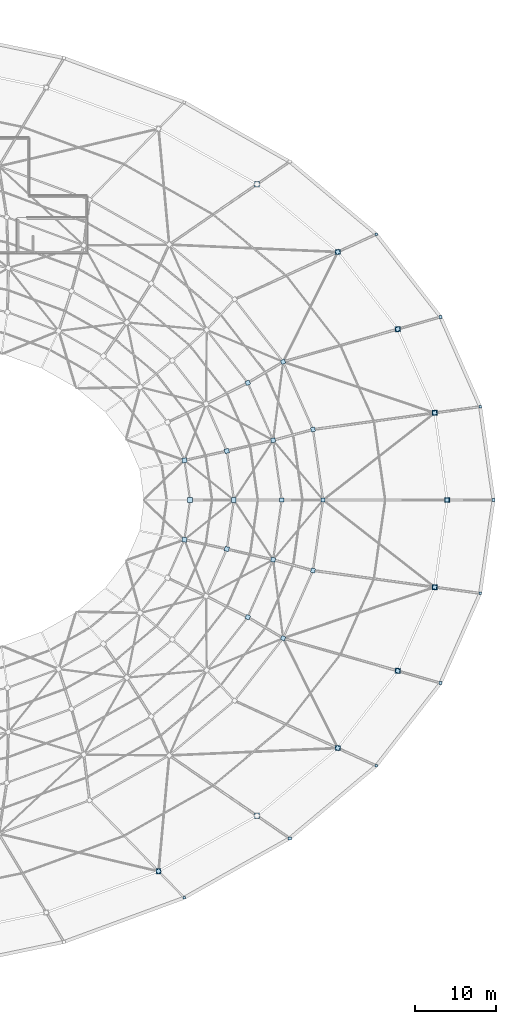
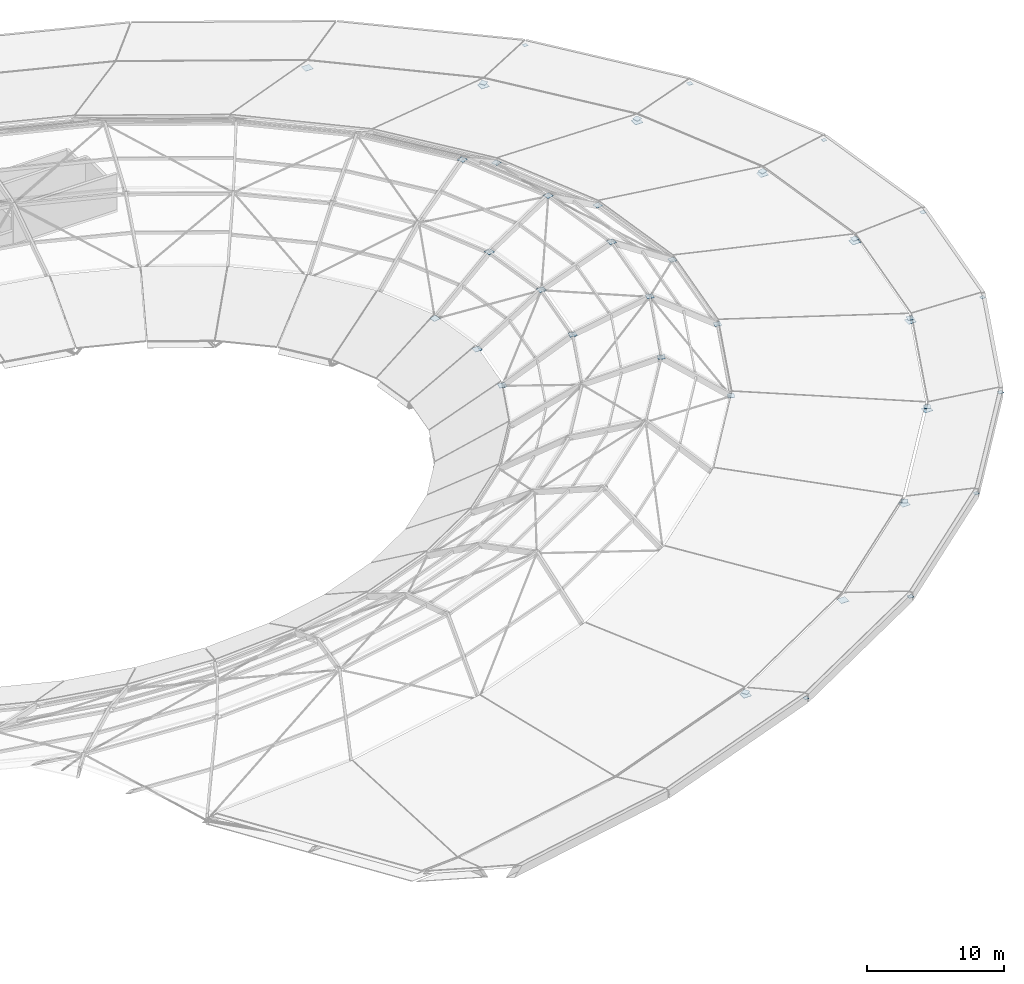
# One storey, part 22 of 30: 43 plates.
"""IFC4 building model written with IfcOpenShell, lengths in metres."""

import ifcopenshell
import ifcopenshell.guid

model = None  # the IFC model being written
_history = None  # IfcOwnerHistory: only IFC2X3 demands one
_inside = {}  # id of a spatial element -> (the spatial element, [elements in it])
_under = {}  # id of a project, library or spatial element -> (it, [spatial elements below it])
_declared = {}  # id of a project -> (the project, [libraries it declares])
_typed = {}  # id of a type object -> (the type object, [elements of that type])
_made_of = {}  # id of a material, layer set ... -> (it, [elements and type objects made of it])


def new_model(schema):
    """Start an empty IFC model of exactly this schema.

    Asked for "IFC4X3", IfcOpenShell would pick the latest addendum, in which some entities
    have other attributes; the version numbers below select the first issue.
    IFC2X3 requires an IfcOwnerHistory on every rooted entity: one is made here for all.
    """
    global model, _history
    if schema == "IFC4X3":
        model = ifcopenshell.file(schema_version=(4, 3, 0, 0))
    else:
        model = ifcopenshell.file(schema=schema)
    _inside.clear()
    _under.clear()
    _declared.clear()
    _typed.clear()
    _made_of.clear()
    _history = None
    if model.schema == "IFC2X3":
        org = make("IfcOrganization", Name="unknown")
        user = make(
            "IfcPersonAndOrganization",
            ThePerson=make("IfcPerson", FamilyName="unknown"),
            TheOrganization=org,
        )
        app = make(
            "IfcApplication",
            ApplicationDeveloper=org,
            Version="unknown",
            ApplicationFullName="unknown",
            ApplicationIdentifier="unknown",
        )
        _history = make(
            "IfcOwnerHistory",
            OwningUser=user,
            OwningApplication=app,
            ChangeAction="ADDED",
            CreationDate=0,
        )
    return model


def make(cls, **values):
    """One entity of the class cls with the attributes given. An attribute that is None is left unset."""
    return model.create_entity(
        cls, **{name: value for name, value in values.items() if value is not None}
    )


def rooted(cls, **values):
    """An entity with a GlobalId (a new one), such as an element, a storey or a relation."""
    return make(cls, GlobalId=ifcopenshell.guid.new(), OwnerHistory=_history, **values)


def si_unit(unit_type, name, prefix=None):
    """IfcSIUnit, for example si_unit("LENGTHUNIT", "METRE", prefix="MILLI")."""
    return make("IfcSIUnit", UnitType=unit_type, Prefix=prefix, Name=name)


def assignment(units):
    """IfcUnitAssignment: the units of a project."""
    return None if units is None else make("IfcUnitAssignment", Units=units)


def point(xyz):
    """IfcCartesianPoint."""
    return None if xyz is None else make("IfcCartesianPoint", Coordinates=xyz)


def direction(xyz):
    """IfcDirection."""
    return None if xyz is None else make("IfcDirection", DirectionRatios=xyz)


def frame(location, z_axis=None, x_axis=None):
    """IfcAxis2Placement3D, a coordinate frame: its origin and axes. An axis left out is left unset."""
    return make(
        "IfcAxis2Placement3D",
        Location=point(location),
        Axis=direction(z_axis),
        RefDirection=direction(x_axis),
    )


def frame_2d(location, x_axis=None):
    """IfcAxis2Placement2D, a coordinate frame in the plane: its origin and x axis."""
    return make(
        "IfcAxis2Placement2D", Location=point(location), RefDirection=direction(x_axis)
    )


def origin():
    """The frame at (0, 0, 0) with its axes left unset."""
    return frame((0.0, 0.0, 0.0))


def origin_2d():
    """The frame at (0, 0) in the plane with its x axis left unset."""
    return frame_2d((0.0, 0.0))


def place(relative_to, where):
    """IfcLocalPlacement: puts the frame where relative to a parent placement (None: the world)."""
    return make(
        "IfcLocalPlacement", PlacementRelTo=relative_to, RelativePlacement=where
    )


def context(
    kind, dimensions, precision=None, world=None, true_north=None, identifier=None
):
    """IfcGeometricRepresentationContext, for example the 3D "Model" context."""
    return make(
        "IfcGeometricRepresentationContext",
        ContextIdentifier=identifier,
        ContextType=kind,
        CoordinateSpaceDimension=dimensions,
        Precision=precision,
        WorldCoordinateSystem=world,
        TrueNorth=true_north,
    )


def subcontext(parent, identifier, kind, view, scale=None):
    """IfcGeometricRepresentationSubContext, for example "Body" below "Model"."""
    return make(
        "IfcGeometricRepresentationSubContext",
        ContextIdentifier=identifier,
        ContextType=kind,
        ParentContext=parent,
        TargetScale=scale,
        TargetView=view,
    )


def project(units=None, contexts=None):
    """IfcProject with its units and contexts."""
    return rooted(
        "IfcProject",
        Name="project",
        RepresentationContexts=contexts,
        UnitsInContext=assignment(units),
    )


def spatial(cls, under=None, at=None, **own):
    """A site, building, storey or space (cls), placed at a placement, below another one or the project."""
    s = rooted(cls, ObjectPlacement=at, **own)
    if under is not None:
        _under.setdefault(under.id(), (under, []))[1].append(s)
    return s


def profile(cls, at=None, kind="AREA", **sizes):
    """A parametric profile (cls). Its sizes go by their IFC names, for example OverallWidth=200.0."""
    return make(cls, ProfileType=kind, Position=at, **sizes)


def rectangle(**sizes):
    """IfcRectangleProfileDef."""
    return profile("IfcRectangleProfileDef", **sizes)


def extrude(swept, where, along, depth):
    """IfcExtrudedAreaSolid: the profile swept, set in the frame where, extruded along a direction by depth."""
    return make(
        "IfcExtrudedAreaSolid",
        SweptArea=swept,
        Position=where,
        ExtrudedDirection=direction(along),
        Depth=depth,
    )


def shape(context_of_items, identifier, shape_type, items):
    """IfcShapeRepresentation: the items that make up one representation, for example the "Body"."""
    return make(
        "IfcShapeRepresentation",
        ContextOfItems=context_of_items,
        RepresentationIdentifier=identifier,
        RepresentationType=shape_type,
        Items=items,
    )


def material(Name=None, Category=None):
    """IfcMaterial."""
    return make("IfcMaterial", Name=Name, Category=Category)


def layer(
    of_material, thickness, ventilated=None, Name=None, Category=None, Priority=None
):
    """IfcMaterialLayer: one layer of a wall or slab, of a material (None: an air gap)."""
    return make(
        "IfcMaterialLayer",
        Material=of_material,
        LayerThickness=thickness,
        IsVentilated=ventilated,
        Name=Name,
        Category=Category,
        Priority=Priority,
    )


def layer_set(layers, Name=None):
    """IfcMaterialLayerSet."""
    return make("IfcMaterialLayerSet", MaterialLayers=layers, LayerSetName=Name)


def made_of(thing, what):
    """Note that an element or type object is made of a material, layer set ...; save() writes the relation."""
    if what is not None:
        _made_of.setdefault(what.id(), (what, []))[1].append(thing)
    return thing


def type_object(cls, material=None, **own):
    """A type object (cls), such as IfcWallType, which elements share."""
    return made_of(rooted(cls, **own), material)


def element(
    cls,
    number,
    at=None,
    inside=None,
    cuts=None,
    type_object=None,
    material=None,
    context=None,
    identifier="Body",
    shape_type=None,
    held_by="IfcProductDefinitionShape",
    body=None,
    shapes=None,
    **own,
):
    """One element of the class cls, such as IfcWall. Its Tag is "e" and its number.

    at: its placement. inside: the storey or other place that contains it. cuts: it is an
    opening in that element (IfcRelVoidsElement). A single representation is given by context,
    identifier, shape_type and body (its items); several are given by shapes. held_by: the class
    of the entity that holds the representations. save() writes the other relations.
    """
    e = rooted(cls, Tag="e%d" % number, ObjectPlacement=at, **own)
    if body is not None:
        shapes = [shape(context, identifier, shape_type, body)]
    if shapes is not None:
        e.Representation = make(held_by, Representations=shapes)
    if inside is not None:
        _inside.setdefault(inside.id(), (inside, []))[1].append(e)
    if cuts is not None:
        rooted(
            "IfcRelVoidsElement", RelatingBuildingElement=cuts, RelatedOpeningElement=e
        )
    if type_object is not None:
        _typed.setdefault(type_object.id(), (type_object, []))[1].append(e)
    return made_of(e, material)


def aggregate(whole, parts):
    """IfcRelAggregates: a whole, such as a stair, and the parts it consists of."""
    return rooted("IfcRelAggregates", RelatingObject=whole, RelatedObjects=parts)


def save(model, path):
    """Write the relations noted so far, then the file.

    IfcRelAggregates (storeys below a building ...), IfcRelContainedInSpatialStructure (elements
    in a storey), IfcRelDefinesByType, IfcRelAssociatesMaterial and IfcRelDeclares: one each for
    every whole, place, type object, material and project.
    """
    for whole, parts in _under.values():
        aggregate(whole, parts)
    for where, things in _inside.values():
        rooted(
            "IfcRelContainedInSpatialStructure",
            RelatedElements=things,
            RelatingStructure=where,
        )
    for kind, things in _typed.values():
        rooted("IfcRelDefinesByType", RelatedObjects=things, RelatingType=kind)
    for what, things in _made_of.values():
        rooted("IfcRelAssociatesMaterial", RelatedObjects=things, RelatingMaterial=what)
    for by, libraries in _declared.values():
        rooted("IfcRelDeclares", RelatingContext=by, RelatedDefinitions=libraries)
    model.write(path)


model = new_model("IFC4")

# Units and contexts
model_context = context("Model", 3, precision=1e-05, world=origin(), true_north=direction((0.0, 1.0)))
body_context = subcontext(model_context, "Body", "Model", "MODEL_VIEW")
ifc_project = project(units=[si_unit("LENGTHUNIT", "METRE"), si_unit("AREAUNIT", "SQUARE_METRE"), si_unit("VOLUMEUNIT", "CUBIC_METRE"), si_unit("PLANEANGLEUNIT", "RADIAN"), si_unit("MASSUNIT", "GRAM", prefix="KILO")], contexts=[model_context])

# Site, building, storey
site_placement = place(None, origin())
site = spatial("IfcSite", under=ifc_project, at=site_placement, CompositionType="ELEMENT")
building_placement = place(site_placement, origin())
building = spatial("IfcBuilding", under=site, at=building_placement, Name="Namkhue Oval Health Centre", CompositionType="ELEMENT")
storey_placement = place(building_placement, frame((0.0, 0.0, 26.39990234375)))
storey = spatial("IfcBuildingStorey", under=building, at=storey_placement, Name="RF", CompositionType="ELEMENT", Elevation=26.39990234375)

# Plates
ifc_material = material(Name="Structural steel EN 10025-2 S355JR (TCVN 5575:2024)", Category="steel")
ifc_layer_1 = layer(ifc_material, 0.02490234375)
ifc_layer_set_1 = layer_set([ifc_layer_1], Name="Structural steel EN 10025-2 S355JR (TCVN 5575:2024)")
plate_type_1 = type_object("IfcPlateType", Name="BASE SPLICE PLATE 660X660X25", PredefinedType="USERDEFINED", material=ifc_layer_set_1)
for number, where, z_axis, x_axis, name in (
    (1, (167.0400390625, 59.39990234375, 0.047607421875), (0.0, 0.0, 1.0), (1.0, 0.0, 0.0), "Gridshell OR Ring Bearing Plate 1"),
    (2, (165.490478515625, 70.2158203125, 0.047607421875), (0.0, 0.0, 1.0), (1.0, 0.0, 0.0), "Gridshell OR Ring Bearing Plate 2"),
    (3, (160.901611328125, 80.615966796875, 0.047607421875), (0.0, 0.0, 1.0), (1.0, 0.0, 0.0), "Gridshell OR Ring Bearing Plate 3"),
    (4, (153.44970703125, 90.200927734375, 0.047607421875), (0.0, 0.0, 1.0), (1.0, 0.0, 0.0), "Gridshell OR Ring Bearing Plate 4"),
    (5, (143.421142578125, 98.60205078125, 0.047607421875), (0.0, 0.0, 1.0), (1.0, 0.0, 0.0), "Gridshell OR Ring Bearing Plate 5"),
    (6, (131.201171875, 13.30322265625, 0.047607421875), (0.0, 0.0, 1.0), (1.0, 0.0, 0.0), "Gridshell OR Ring Bearing Plate 28"),
    (7, (143.421142578125, 20.197998046875, 0.047607421875), (0.0, 0.0, 1.0), (1.0, 0.0, 0.0), "Gridshell OR Ring Bearing Plate 29"),
    (8, (153.44970703125, 28.59912109375, 0.047607421875), (0.0, 0.0, 1.0), (1.0, 0.0, 0.0), "Gridshell OR Ring Bearing Plate 30"),
    (9, (160.901611328125, 38.18408203125, 0.047607421875), (0.0, 0.0, 1.0), (1.0, 0.0, 0.0), "Gridshell OR Ring Bearing Plate 31"),
    (10, (165.490478515625, 48.584228515625, 0.047607421875), (0.0, 0.0, 1.0), (1.0, 0.0, 0.0), "Gridshell OR Ring Bearing Plate 32"),
):
    element("IfcPlate", number, at=place(storey_placement, frame(where, z_axis=z_axis, x_axis=x_axis)), inside=storey, type_object=plate_type_1, Name=name, ObjectType="BASE_PLATE", PredefinedType="USERDEFINED", context=body_context, shape_type="SweptSolid", body=[
        extrude(rectangle(XDim=0.659912109375, YDim=0.659912109375, at=origin_2d()), origin(), (0.0, 0.0, 1.0), 0.02490234375),
    ])
ifc_layer_2 = layer(ifc_material, 0.02001953125)
ifc_layer_set_2 = layer_set([ifc_layer_2], Name="Structural steel EN 10025-2 S355JR (TCVN 5575:2024)")
plate_type_2 = type_object("IfcPlateType", Name="GRIDSHELL GUSSET PLATE 500X500X20", PredefinedType="USERDEFINED", material=ifc_layer_set_2)
for number, where, z_axis, x_axis, name in (
    (11, (167.0400390625, 59.39990234375, 0.31005859375), (0.0, 0.0, 1.0), (1.0, 0.0, 0.0), "Gridshell Node Gusset Plate K1-1"),
    (12, (165.490478515625, 70.2158203125, 0.31005859375), (0.0, 0.0, 1.0), (0.980785280403, 0.195090322016, 0.0), "Gridshell Node Gusset Plate K1-2"),
    (13, (160.901611328125, 80.615966796875, 0.31005859375), (0.0, 0.0, 1.0), (0.923879532511, 0.382683432365, 0.0), "Gridshell Node Gusset Plate K1-3"),
    (14, (153.44970703125, 90.200927734375, 0.31005859375), (0.0, 0.0, 1.0), (0.831469612303, 0.55557023302, 0.0), "Gridshell Node Gusset Plate K1-4"),
    (15, (131.201171875, 13.30322265625, 0.31005859375), (0.0, 0.0, 1.0), (0.55557023302, -0.831469612303, 0.0), "Gridshell Node Gusset Plate K1-28"),
    (16, (153.44970703125, 28.59912109375, 0.31005859375), (0.0, 0.0, 1.0), (0.831469612303, -0.55557023302, 0.0), "Gridshell Node Gusset Plate K1-30"),
    (17, (160.901611328125, 38.18408203125, 0.31005859375), (0.0, 0.0, 1.0), (0.923879532511, -0.382683432365, 0.0), "Gridshell Node Gusset Plate K1-31"),
    (18, (165.490478515625, 48.584228515625, 0.31005859375), (0.0, 0.0, 1.0), (0.980785280403, -0.195090322016, 0.0), "Gridshell Node Gusset Plate K1-32"),
):
    element("IfcPlate", number, at=place(storey_placement, frame(where, z_axis=z_axis, x_axis=x_axis)), inside=storey, type_object=plate_type_2, Name=name, ObjectType="GUSSET_PLATE", PredefinedType="USERDEFINED", context=body_context, shape_type="SweptSolid", body=[
        extrude(rectangle(XDim=0.5, YDim=0.5, at=origin_2d()), origin(), (0.0, 0.0, 1.0), 0.02001953125),
    ])
ifc_layer_3 = layer(ifc_material, 0.02197265625)
ifc_layer_set_3 = layer_set([ifc_layer_3], Name="Structural steel EN 10025-2 S355JR (TCVN 5575:2024)")
plate_type_3 = type_object("IfcPlateType", Name="GRIDSHELL GUSSET PLATE 520X520X22", PredefinedType="USERDEFINED", material=ifc_layer_set_3)
for number, where, z_axis, x_axis, name in (
    (19, (151.632080078125, 59.39990234375, 3.80908203125), (0.0, 0.0, 1.0), (1.0, 0.0, 0.0), "Gridshell Node Gusset Plate K2-1"),
    (20, (150.378662109375, 68.149169921875, 3.80908203125), (0.0, 0.0, 1.0), (0.980785280403, 0.195090322016, 0.0), "Gridshell Node Gusset Plate K2-2"),
    (21, (146.66650390625, 76.562255859375, 3.80908203125), (0.0, 0.0, 1.0), (0.923879532511, 0.382683432365, 0.0), "Gridshell Node Gusset Plate K2-3"),
    (22, (146.66650390625, 42.23779296875, 3.80908203125), (0.0, 0.0, 1.0), (0.923879532511, -0.382683432365, 0.0), "Gridshell Node Gusset Plate K2-31"),
    (23, (150.378662109375, 50.65087890625, 3.80908203125), (0.0, 0.0, 1.0), (0.980785280403, -0.195090322016, 0.0), "Gridshell Node Gusset Plate K2-32"),
):
    element("IfcPlate", number, at=place(storey_placement, frame(where, z_axis=z_axis, x_axis=x_axis)), inside=storey, type_object=plate_type_3, Name=name, ObjectType="GUSSET_PLATE", PredefinedType="USERDEFINED", context=body_context, shape_type="SweptSolid", body=[
        extrude(rectangle(XDim=0.52001953125, YDim=0.52001953125, at=origin_2d()), origin(), (0.0, 0.0, 1.0), 0.02197265625),
    ])
ifc_layer_4 = layer(ifc_material, 0.02197265625)
ifc_layer_set_4 = layer_set([ifc_layer_4], Name="Structural steel EN 10025-2 S355JR (TCVN 5575:2024)")
plate_type_4 = type_object("IfcPlateType", Name="GRIDSHELL GUSSET PLATE 540X540X22", PredefinedType="USERDEFINED", material=ifc_layer_set_4)
for number, where, z_axis, x_axis, name in (
    (24, (146.49609375, 59.39990234375, 7.209228515625), (0.0, 0.0, 1.0), (1.0, 0.0, 0.0), "Gridshell Node Gusset Plate K3-1"),
    (25, (145.43359375, 66.816650390625, 7.209228515625), (0.0, 0.0, 1.0), (0.980785280403, 0.195090322016, 0.0), "Gridshell Node Gusset Plate K3-2"),
    (26, (142.286865234375, 73.947998046875, 7.209228515625), (0.0, 0.0, 1.0), (0.923879532511, 0.382683432365, 0.0), "Gridshell Node Gusset Plate K3-3"),
    (27, (142.286865234375, 44.851806640625, 7.209228515625), (0.0, 0.0, 1.0), (0.923879532511, -0.382683432365, 0.0), "Gridshell Node Gusset Plate K3-31"),
    (28, (145.43359375, 51.9833984375, 7.209228515625), (0.0, 0.0, 1.0), (0.980785280403, -0.195090322016, 0.0), "Gridshell Node Gusset Plate K3-32"),
):
    element("IfcPlate", number, at=place(storey_placement, frame(where, z_axis=z_axis, x_axis=x_axis)), inside=storey, type_object=plate_type_4, Name=name, ObjectType="GUSSET_PLATE", PredefinedType="USERDEFINED", context=body_context, shape_type="SweptSolid", body=[
        extrude(rectangle(XDim=0.5400390625, YDim=0.5400390625, at=origin_2d()), origin(), (0.0, 0.0, 1.0), 0.02197265625),
    ])
ifc_layer_5 = layer(ifc_material, 0.02392578125)
ifc_layer_set_5 = layer_set([ifc_layer_5], Name="Structural steel EN 10025-2 S355JR (TCVN 5575:2024)")
plate_type_5 = type_object("IfcPlateType", Name="GRIDSHELL GUSSET PLATE 560X560X24", PredefinedType="USERDEFINED", material=ifc_layer_set_5)
for number, where, z_axis, x_axis, name in (
    (29, (140.56005859375, 59.39990234375, 5.008056640625), (0.0, 0.0, 1.0), (1.0, 0.0, 0.0), "Gridshell Node Gusset Plate K4-1"),
    (30, (139.6884765625, 65.48388671875, 5.008056640625), (0.0, 0.0, 1.0), (0.980785280403, 0.195090322016, 0.0), "Gridshell Node Gusset Plate K4-2"),
    (31, (139.6884765625, 53.316162109375, 5.008056640625), (0.0, 0.0, 1.0), (0.980785280403, -0.195090322016, 0.0), "Gridshell Node Gusset Plate K4-32"),
):
    element("IfcPlate", number, at=place(storey_placement, frame(where, z_axis=z_axis, x_axis=x_axis)), inside=storey, type_object=plate_type_5, Name=name, ObjectType="GUSSET_PLATE", PredefinedType="USERDEFINED", context=body_context, shape_type="SweptSolid", body=[
        extrude(rectangle(XDim=0.56005859375, YDim=0.56005859375, at=origin_2d()), origin(), (0.0, 0.0, 1.0), 0.02392578125),
    ])
ifc_layer_6 = layer(ifc_material, 0.02392578125)
ifc_layer_set_6 = layer_set([ifc_layer_6], Name="Structural steel EN 10025-2 S355JR (TCVN 5575:2024)")
plate_type_6 = type_object("IfcPlateType", Name="GRIDSHELL GUSSET PLATE 580X580X24", PredefinedType="USERDEFINED", material=ifc_layer_set_6)
for number, where, z_axis, x_axis, name in (
    (32, (135.1201171875, 59.39990234375, 1.608154296875), (0.0, 0.0, 1.0), (1.0, 0.0, 0.0), "Gridshell Node Gusset Plate K5-1"),
    (33, (134.41455078125, 64.324951171875, 1.608154296875), (0.0, 0.0, 1.0), (0.980785280403, 0.195090322016, 0.0), "Gridshell Node Gusset Plate K5-2"),
    (34, (134.41455078125, 54.474853515625, 1.608154296875), (0.0, 0.0, 1.0), (0.980785280403, -0.195090322016, 0.0), "Gridshell Node Gusset Plate K5-32"),
):
    element("IfcPlate", number, at=place(storey_placement, frame(where, z_axis=z_axis, x_axis=x_axis)), inside=storey, type_object=plate_type_6, Name=name, ObjectType="GUSSET_PLATE", PredefinedType="USERDEFINED", context=body_context, shape_type="SweptSolid", body=[
        extrude(rectangle(XDim=0.580078125, YDim=0.580078125, at=origin_2d()), origin(), (0.0, 0.0, 1.0), 0.02392578125),
    ])
ifc_layer_7 = layer(ifc_material, 0.02001953125)
ifc_layer_set_7 = layer_set([ifc_layer_7], Name="Structural steel EN 10025-2 S355JR (TCVN 5575:2024)")
plate_type_7 = type_object("IfcPlateType", Name="STEEL END CAP PLATE 340X340X20", PredefinedType="USERDEFINED", material=ifc_layer_set_7)
for number, where, z_axis, x_axis, name in (
    (35, (171.139892578125, 70.98828125, 0.655029296875), (0.0, 0.0, 1.0), (1.0, 0.0, 0.0), "Outer Eaves Strut Cap Plate 2"),
    (36, (158.239013671875, 92.40087890625, 0.655029296875), (0.0, 0.0, 1.0), (1.0, 0.0, 0.0), "Outer Eaves Strut Cap Plate 4"),
    (37, (134.4013671875, 10.0107421875, 0.655029296875), (0.0, 0.0, 1.0), (1.0, 0.0, 0.0), "Outer Eaves Strut Cap Plate 28"),
    (38, (158.239013671875, 26.399169921875, 0.655029296875), (0.0, 0.0, 1.0), (1.0, 0.0, 0.0), "Outer Eaves Strut Cap Plate 30"),
    (39, (171.139892578125, 47.8115234375, 0.655029296875), (0.0, 0.0, 1.0), (1.0, 0.0, 0.0), "Outer Eaves Strut Cap Plate 32"),
):
    element("IfcPlate", number, at=place(storey_placement, frame(where, z_axis=z_axis, x_axis=x_axis)), inside=storey, type_object=plate_type_7, Name=name, ObjectType="BASE_PLATE", PredefinedType="USERDEFINED", context=body_context, shape_type="SweptSolid", body=[
        extrude(rectangle(XDim=0.340087890625, YDim=0.340087890625, at=origin_2d()), origin(), (0.0, 0.0, 1.0), 0.02001953125),
    ])
ifc_layer_8 = layer(ifc_material, 0.02197265625)
ifc_layer_set_8 = layer_set([ifc_layer_8], Name="Structural steel EN 10025-2 S355JR (TCVN 5575:2024)")
plate_type_8 = type_object("IfcPlateType", Name="STEEL END CAP PLATE 380X380X22", PredefinedType="USERDEFINED", material=ifc_layer_set_8)
for number, where, z_axis, x_axis, name in (
    (40, (172.800048828125, 59.39990234375, 0.654052734375), (0.0, 0.0, 1.0), (1.0, 0.0, 0.0), "Outer Eaves Strut Cap Plate 1"),
    (41, (166.22314453125, 82.13134765625, 0.654052734375), (0.0, 0.0, 1.0), (1.0, 0.0, 0.0), "Outer Eaves Strut Cap Plate 3"),
    (42, (147.494140625, 17.39794921875, 0.654052734375), (0.0, 0.0, 1.0), (1.0, 0.0, 0.0), "Outer Eaves Strut Cap Plate 29"),
    (43, (166.22314453125, 36.668701171875, 0.654052734375), (0.0, 0.0, 1.0), (1.0, 0.0, 0.0), "Outer Eaves Strut Cap Plate 31"),
):
    element("IfcPlate", number, at=place(storey_placement, frame(where, z_axis=z_axis, x_axis=x_axis)), inside=storey, type_object=plate_type_8, Name=name, ObjectType="BASE_PLATE", PredefinedType="USERDEFINED", context=body_context, shape_type="SweptSolid", body=[
        extrude(rectangle(XDim=0.3798828125, YDim=0.3798828125, at=origin_2d()), origin(), (0.0, 0.0, 1.0), 0.02197265625),
    ])

save(model, "model.ifc")
